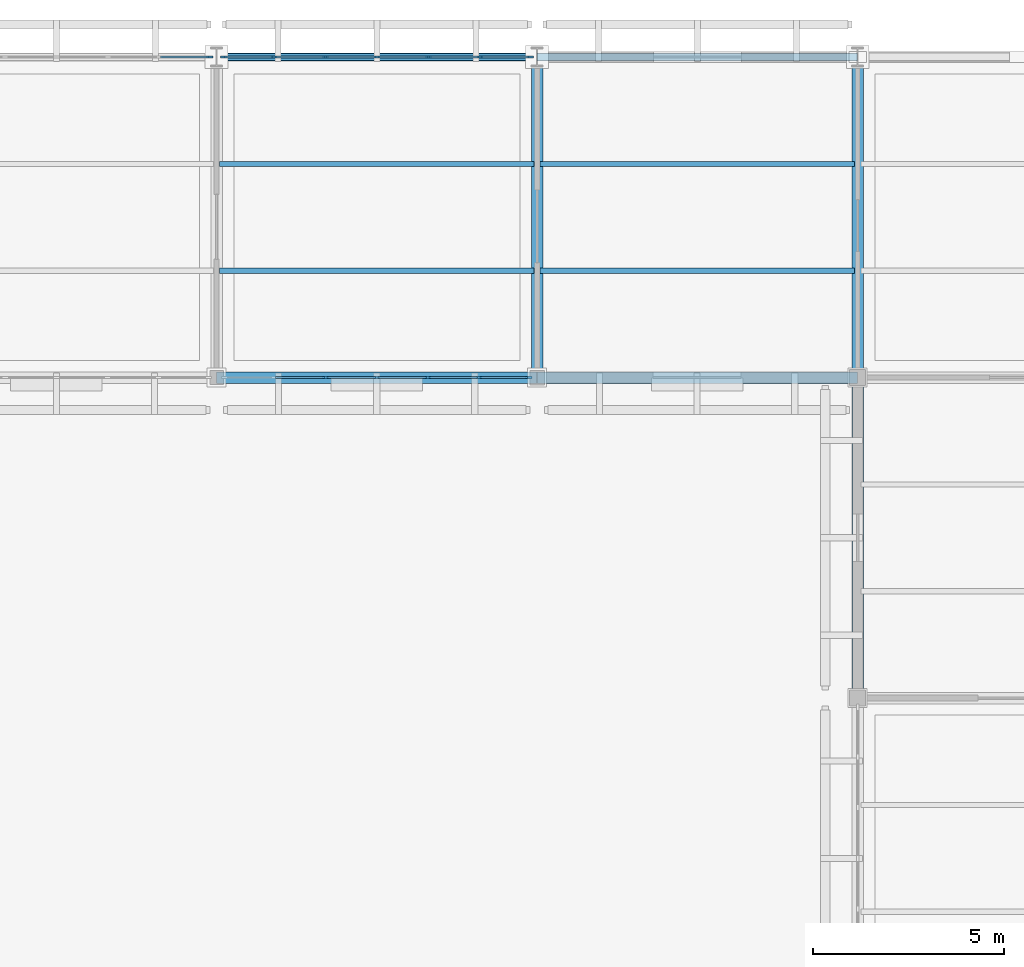
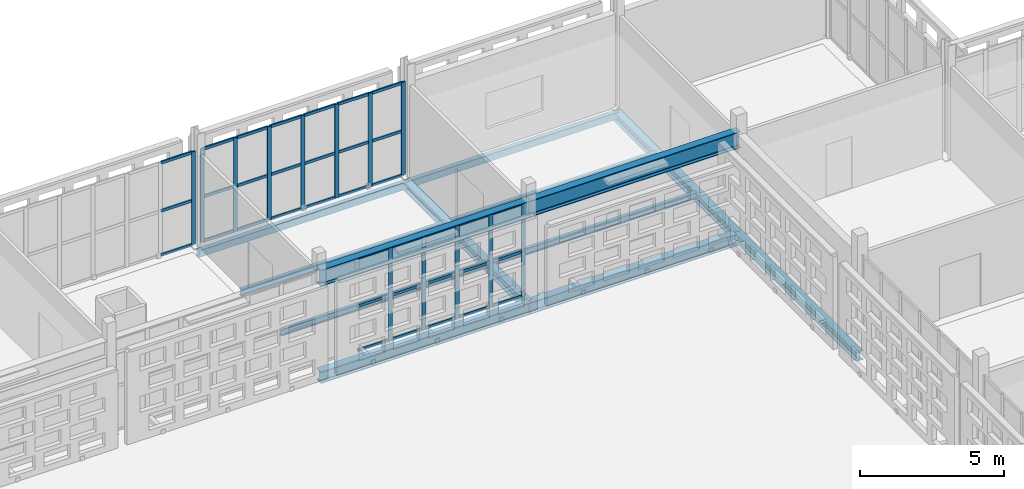
# One storey, part 64 of 203: 49 members, 13 beams, 3 elements without a shape of their own.
"""IFC4 building model written with IfcOpenShell, lengths in metres."""

from ifc_helpers import new_model, si_unit, direction, frame, origin, origin_2d, place, context, subcontext, project, spatial, rectangle, hollow_rectangle, i_section, extrude, material, layer, layer_set, material_profile, profile_set, type_object, element, aggregate, save


model = new_model("IFC4")

# Units and contexts
model_context = context("Model", 3, precision=1e-05, world=origin(), true_north=direction((0.0, 1.0)))
body_context = subcontext(model_context, "Body", "Model", "MODEL_VIEW")
ifc_project = project(units=[si_unit("LENGTHUNIT", "METRE"), si_unit("AREAUNIT", "SQUARE_METRE"), si_unit("VOLUMEUNIT", "CUBIC_METRE"), si_unit("PLANEANGLEUNIT", "RADIAN"), si_unit("MASSUNIT", "GRAM", prefix="KILO")], contexts=[model_context])

# Site, building, storey
site_placement = place(None, origin())
site = spatial("IfcSite", under=ifc_project, at=site_placement, CompositionType="ELEMENT")
building_placement = place(site_placement, origin())
building = spatial("IfcBuilding", under=site, at=building_placement, Name="Varnapada Polytechnic", CompositionType="ELEMENT")
storey_placement = place(building_placement, frame((0.0, 0.0, 4.800048828125)))
storey = spatial("IfcBuildingStorey", under=building, at=storey_placement, Name="L01", CompositionType="ELEMENT", Elevation=4.800048828125)

# Beams
ifc_material_1 = material(Name="Steel S355", Category="steel")
ifc_material_profile_1 = material_profile(ifc_material_1, i_section(OverallWidth=0.300048828125, OverallDepth=0.68994140625, WebThickness=0.014404296875, FlangeThickness=0.027099609375, FilletRadius=0.027099609375, at=origin_2d()), Name="HEA 700")
ifc_profile_set_1 = profile_set([ifc_material_profile_1], Name="Steel S355")
beam_type_1 = type_object("IfcBeamType", Name="Heavy fabrication crane girder CR-03 (HEA 700)", PredefinedType="BEAM", material=ifc_profile_set_1)
beam_1_placement = place(storey_placement, frame((109.199951171875, 117.60009765625, 3.695068359375), z_axis=(1.0, 0.0, 0.0), x_axis=(0.0, 1.0, 0.0)))
element("IfcBeam", 1, at=beam_1_placement, inside=storey, type_object=beam_type_1, Name="Workshop bridge crane runway girder 14-15 line 15", PredefinedType="BEAM", context=body_context, shape_type="SweptSolid", body=[
    extrude(i_section(OverallWidth=0.300048828125, OverallDepth=0.68994140625, WebThickness=0.014404296875, FlangeThickness=0.027099609375, FilletRadius=0.027099609375, at=origin_2d()), origin(), (0.0, 0.0, 1.0), 8.400146484375),
])
beam_2_placement = place(storey_placement, frame((117.60009765625, 117.60009765625, 3.695068359375), z_axis=(1.0, 0.0, 0.0), x_axis=(0.0, 1.0, 0.0)))
element("IfcBeam", 2, at=beam_2_placement, inside=storey, type_object=beam_type_1, Name="Workshop bridge crane runway girder 15-16 line 15", PredefinedType="BEAM", context=body_context, shape_type="SweptSolid", body=[
    extrude(i_section(OverallWidth=0.300048828125, OverallDepth=0.68994140625, WebThickness=0.014404296875, FlangeThickness=0.027099609375, FilletRadius=0.027099609375, at=origin_2d()), origin(), (0.0, 0.0, 1.0), 8.39990234375),
])
ifc_material_profile_2 = material_profile(ifc_material_1, i_section(OverallWidth=0.135009765625, OverallDepth=0.27001953125, WebThickness=0.006591796875, FlangeThickness=0.01025390625, FilletRadius=0.014892578125, at=origin_2d()), Name="IPE 270")
ifc_profile_set_2 = profile_set([ifc_material_profile_2], Name="Steel S355")
beam_type_2 = type_object("IfcBeamType", Name="Mezzanine heavy steel joist SJ-03 (IPE 270)", PredefinedType="JOIST", material=ifc_profile_set_2)
for number, where, z_axis, x_axis, name in (
    (3, (109.280029296875, 120.39990234375, -0.39501953125), (1.0, 0.0, 0.0), (0.0, 1.0, 0.0), "L01 floor joist 14/15.1"),
    (4, (109.280029296875, 123.199951171875, -0.39501953125), (1.0, 0.0, 0.0), (0.0, 1.0, 0.0), "L01 floor joist 14/15.2"),
    (5, (117.679931640625, 120.39990234375, -0.39501953125), (1.0, 0.0, 0.0), (0.0, 1.0, 0.0), "L01 floor joist 15/15.1"),
    (6, (117.679931640625, 123.199951171875, -0.39501953125), (1.0, 0.0, 0.0), (0.0, 1.0, 0.0), "L01 floor joist 15/15.2"),
):
    element("IfcBeam", number, at=place(storey_placement, frame(where, z_axis=z_axis, x_axis=x_axis)), inside=storey, type_object=beam_type_2, Name=name, PredefinedType="JOIST", context=body_context, shape_type="SweptSolid", body=[
        extrude(i_section(OverallWidth=0.135009765625, OverallDepth=0.27001953125, WebThickness=0.006591796875, FlangeThickness=0.01025390625, FilletRadius=0.014892578125, at=origin_2d()), origin(), (0.0, 0.0, 1.0), 8.239990234375),
    ])

# Curtain wall, member
ifc_material_2 = material(Name="Double low-E laminated glass", Category="glass")
ifc_layer = layer(ifc_material_2, 0.159912109375)
ifc_layer_set = layer_set([ifc_layer], Name="Double low-E laminated glass")
curtain_wall_type = type_object("IfcCurtainWallType", Name="Curtain Wall CW-02", PredefinedType="NOTDEFINED", material=ifc_layer_set)
curtain_wall_1_placement = place(storey_placement, origin())
curtain_wall_1 = element("IfcCurtainWall", 7, at=curtain_wall_1_placement, inside=storey, type_object=curtain_wall_type, Name="L01 unitised curtain wall CW-02 (82)", PredefinedType="NOTDEFINED")
ifc_material_3 = material(Name="Anodised aluminium", Category="aluminium")
ifc_material_profile_3 = material_profile(ifc_material_3, rectangle(XDim=0.06005859375, YDim=0.159912109375, at=origin_2d()), Name="ALU M60x160")
ifc_profile_set_3 = profile_set([ifc_material_profile_3], Name="Anodised aluminium")
member_type_1 = type_object("IfcMemberType", Name="Mullion M-01", PredefinedType="MULLION", material=ifc_profile_set_3)
member_1_placement = place(storey_placement, frame((109.02001953125, 126.0, 0.0), z_axis=(0.0, 0.0, 1.0), x_axis=(0.0, 1.0, 0.0)))
member_1 = element("IfcMember", 8, at=member_1_placement, type_object=member_type_1, Name="CW-02 mullion 7", PredefinedType="MULLION", context=body_context, shape_type="SweptSolid", body=[
    extrude(rectangle(XDim=0.06005859375, YDim=0.159912109375, at=origin_2d()), origin(), (0.0, 0.0, 1.0), 3.9599609375),
])

# Curtain wall, members
curtain_wall_2_placement = place(storey_placement, origin())
curtain_wall_2 = element("IfcCurtainWall", 9, at=curtain_wall_2_placement, inside=storey, type_object=curtain_wall_type, Name="L01 unitised curtain wall CW-02 (87)", PredefinedType="NOTDEFINED")
member_2_placement = place(storey_placement, frame((117.3798828125, 117.60009765625, 0.0), z_axis=(0.0, 0.0, 1.0), x_axis=(0.0, -1.0, 0.0)))
member_2 = element("IfcMember", 10, at=member_2_placement, type_object=member_type_1, Name="CW-02 mullion 1", PredefinedType="MULLION", context=body_context, shape_type="SweptSolid", body=[
    extrude(rectangle(XDim=0.06005859375, YDim=0.159912109375, at=origin_2d()), origin(), (0.0, 0.0, 1.0), 3.9599609375),
])
member_3_placement = place(storey_placement, frame((116.07177734375, 117.60009765625, 0.0), z_axis=(0.0, 0.0, 1.0), x_axis=(0.0, -1.0, 0.0)))
member_3 = element("IfcMember", 11, at=member_3_placement, type_object=member_type_1, Name="CW-02 mullion 2", PredefinedType="MULLION", context=body_context, shape_type="SweptSolid", body=[
    extrude(rectangle(XDim=0.06005859375, YDim=0.159912109375, at=origin_2d()), origin(), (0.0, 0.0, 1.0), 3.9599609375),
])
member_4_placement = place(storey_placement, frame((114.7333984375, 117.60009765625, 0.0), z_axis=(0.0, 0.0, 1.0), x_axis=(0.0, -1.0, 0.0)))
member_4 = element("IfcMember", 12, at=member_4_placement, type_object=member_type_1, Name="CW-02 mullion 3", PredefinedType="MULLION", context=body_context, shape_type="SweptSolid", body=[
    extrude(rectangle(XDim=0.06005859375, YDim=0.159912109375, at=origin_2d()), origin(), (0.0, 0.0, 1.0), 3.9599609375),
])
member_5_placement = place(storey_placement, frame((113.39501953125, 117.60009765625, 0.0), z_axis=(0.0, 0.0, 1.0), x_axis=(0.0, -1.0, 0.0)))
member_5 = element("IfcMember", 13, at=member_5_placement, type_object=member_type_1, Name="CW-02 mullion 4", PredefinedType="MULLION", context=body_context, shape_type="SweptSolid", body=[
    extrude(rectangle(XDim=0.06005859375, YDim=0.159912109375, at=origin_2d()), origin(), (0.0, 0.0, 1.0), 3.9599609375),
])
member_6_placement = place(storey_placement, frame((112.056640625, 117.60009765625, 0.0), z_axis=(0.0, 0.0, 1.0), x_axis=(0.0, -1.0, 0.0)))
member_6 = element("IfcMember", 14, at=member_6_placement, type_object=member_type_1, Name="CW-02 mullion 5", PredefinedType="MULLION", context=body_context, shape_type="SweptSolid", body=[
    extrude(rectangle(XDim=0.06005859375, YDim=0.159912109375, at=origin_2d()), origin(), (0.0, 0.0, 1.0), 3.9599609375),
])

curtain_wall_3_placement = place(storey_placement, origin())
curtain_wall_3 = element("IfcCurtainWall", 15, at=curtain_wall_3_placement, inside=storey, type_object=curtain_wall_type, Name="L01 unitised curtain wall CW-02 (88)", PredefinedType="NOTDEFINED")
member_7_placement = place(storey_placement, frame((109.3798828125, 126.0, 0.0), z_axis=(0.0, 0.0, 1.0), x_axis=(0.0, 1.0, 0.0)))
member_7 = element("IfcMember", 16, at=member_7_placement, type_object=member_type_1, Name="CW-02 mullion 1", PredefinedType="MULLION", context=body_context, shape_type="SweptSolid", body=[
    extrude(rectangle(XDim=0.06005859375, YDim=0.159912109375, at=origin_2d()), origin(), (0.0, 0.0, 1.0), 3.9599609375),
])
member_8_placement = place(storey_placement, frame((110.699951171875, 126.0, 0.0), z_axis=(0.0, 0.0, 1.0), x_axis=(0.0, 1.0, 0.0)))
member_8 = element("IfcMember", 17, at=member_8_placement, type_object=member_type_1, Name="CW-02 mullion 2", PredefinedType="MULLION", context=body_context, shape_type="SweptSolid", body=[
    extrude(rectangle(XDim=0.06005859375, YDim=0.159912109375, at=origin_2d()), origin(), (0.0, 0.0, 1.0), 3.9599609375),
])
member_9_placement = place(storey_placement, frame((112.050048828125, 126.0, 0.0), z_axis=(0.0, 0.0, 1.0), x_axis=(0.0, 1.0, 0.0)))
member_9 = element("IfcMember", 18, at=member_9_placement, type_object=member_type_1, Name="CW-02 mullion 3", PredefinedType="MULLION", context=body_context, shape_type="SweptSolid", body=[
    extrude(rectangle(XDim=0.06005859375, YDim=0.159912109375, at=origin_2d()), origin(), (0.0, 0.0, 1.0), 3.9599609375),
])
member_10_placement = place(storey_placement, frame((113.39990234375, 126.0, 0.0), z_axis=(0.0, 0.0, 1.0), x_axis=(0.0, 1.0, 0.0)))
member_10 = element("IfcMember", 19, at=member_10_placement, type_object=member_type_1, Name="CW-02 mullion 4", PredefinedType="MULLION", context=body_context, shape_type="SweptSolid", body=[
    extrude(rectangle(XDim=0.06005859375, YDim=0.159912109375, at=origin_2d()), origin(), (0.0, 0.0, 1.0), 3.9599609375),
])
member_11_placement = place(storey_placement, frame((114.75, 126.0, 0.0), z_axis=(0.0, 0.0, 1.0), x_axis=(0.0, 1.0, 0.0)))
member_11 = element("IfcMember", 20, at=member_11_placement, type_object=member_type_1, Name="CW-02 mullion 5", PredefinedType="MULLION", context=body_context, shape_type="SweptSolid", body=[
    extrude(rectangle(XDim=0.06005859375, YDim=0.159912109375, at=origin_2d()), origin(), (0.0, 0.0, 1.0), 3.9599609375),
])
member_12_placement = place(storey_placement, frame((116.10009765625, 126.0, 0.0), z_axis=(0.0, 0.0, 1.0), x_axis=(0.0, 1.0, 0.0)))
member_12 = element("IfcMember", 21, at=member_12_placement, type_object=member_type_1, Name="CW-02 mullion 6", PredefinedType="MULLION", context=body_context, shape_type="SweptSolid", body=[
    extrude(rectangle(XDim=0.06005859375, YDim=0.159912109375, at=origin_2d()), origin(), (0.0, 0.0, 1.0), 3.9599609375),
])
member_13_placement = place(storey_placement, frame((117.419921875, 126.0, 0.0), z_axis=(0.0, 0.0, 1.0), x_axis=(0.0, 1.0, 0.0)))
member_13 = element("IfcMember", 22, at=member_13_placement, type_object=member_type_1, Name="CW-02 mullion 7", PredefinedType="MULLION", context=body_context, shape_type="SweptSolid", body=[
    extrude(rectangle(XDim=0.06005859375, YDim=0.159912109375, at=origin_2d()), origin(), (0.0, 0.0, 1.0), 3.9599609375),
])

# Beams
ifc_material_profile_4 = material_profile(ifc_material_1, i_section(OverallWidth=0.300048828125, OverallDepth=0.389892578125, WebThickness=0.010986328125, FlangeThickness=0.01904296875, FilletRadius=0.027099609375, at=origin_2d()), Name="HEA 400")
ifc_profile_set_4 = profile_set([ifc_material_profile_4], Name="Steel S355")
beam_type_3 = type_object("IfcBeamType", Name="Steel roof primary girder SG-01 (HEA 400)", PredefinedType="BEAM", material=ifc_profile_set_4)
beam_3_placement = place(storey_placement, frame((117.60009765625, 117.60009765625, -0.465087890625), z_axis=(0.0, 1.0, 0.0), x_axis=(-1.0, 0.0, 0.0)))
element("IfcBeam", 23, at=beam_3_placement, inside=storey, type_object=beam_type_3, Name="L01 beam Y 15-16 at X15", PredefinedType="BEAM", context=body_context, shape_type="SweptSolid", body=[
    extrude(i_section(OverallWidth=0.300048828125, OverallDepth=0.389892578125, WebThickness=0.010986328125, FlangeThickness=0.01904296875, FilletRadius=0.027099609375, at=origin_2d()), origin(), (0.0, 0.0, 1.0), 8.39990234375),
])
beam_4_placement = place(storey_placement, frame((126.0, 109.199951171875, -0.465087890625), z_axis=(0.0, 1.0, 0.0), x_axis=(-1.0, 0.0, 0.0)))
element("IfcBeam", 24, at=beam_4_placement, inside=storey, type_object=beam_type_3, Name="L01 beam Y 14-15 at X16", PredefinedType="BEAM", context=body_context, shape_type="SweptSolid", body=[
    extrude(i_section(OverallWidth=0.300048828125, OverallDepth=0.389892578125, WebThickness=0.010986328125, FlangeThickness=0.01904296875, FilletRadius=0.027099609375, at=origin_2d()), origin(), (0.0, 0.0, 1.0), 8.400146484375),
])
beam_5_placement = place(storey_placement, frame((126.0, 117.60009765625, -0.465087890625), z_axis=(0.0, 1.0, 0.0), x_axis=(-1.0, 0.0, 0.0)))
element("IfcBeam", 25, at=beam_5_placement, inside=storey, type_object=beam_type_3, Name="L01 beam Y 15-16 at X16", PredefinedType="BEAM", context=body_context, shape_type="SweptSolid", body=[
    extrude(i_section(OverallWidth=0.300048828125, OverallDepth=0.389892578125, WebThickness=0.010986328125, FlangeThickness=0.01904296875, FilletRadius=0.027099609375, at=origin_2d()), origin(), (0.0, 0.0, 1.0), 8.39990234375),
])

# Member
ifc_material_profile_5 = material_profile(ifc_material_3, rectangle(XDim=0.06005859375, YDim=0.1201171875, at=origin_2d()), Name="ALU T60x120")
ifc_profile_set_5 = profile_set([ifc_material_profile_5], Name="Anodised aluminium")
member_type_2 = type_object("IfcMemberType", Name="Transom T-01", PredefinedType="USERDEFINED", material=ifc_profile_set_5)
member_14_placement = place(storey_placement, frame((107.72998046875, 126.0, 0.030029296875), z_axis=(1.0, 0.0, 0.0), x_axis=(0.0, 1.0, 0.0)))
member_14 = element("IfcMember", 26, at=member_14_placement, type_object=member_type_2, Name="CW-02 transom 6.1", ObjectType="TRANSOM", PredefinedType="USERDEFINED", context=body_context, shape_type="SweptSolid", body=[
    extrude(rectangle(XDim=0.06005859375, YDim=0.1201171875, at=origin_2d()), origin(), (0.0, 0.0, 1.0), 1.260009765625),
])

member_15_placement = place(storey_placement, frame((107.72998046875, 126.0, 1.900634765625), z_axis=(1.0, 0.0, 0.0), x_axis=(0.0, 1.0, 0.0)))
member_15 = element("IfcMember", 27, at=member_15_placement, type_object=member_type_2, Name="CW-02 transom 6.2", ObjectType="TRANSOM", PredefinedType="USERDEFINED", context=body_context, shape_type="SweptSolid", body=[
    extrude(rectangle(XDim=0.06005859375, YDim=0.1201171875, at=origin_2d()), origin(), (0.0, 0.0, 1.0), 1.260009765625),
])

member_16_placement = place(storey_placement, frame((107.72998046875, 126.0, 3.929931640625), z_axis=(1.0, 0.0, 0.0), x_axis=(0.0, 1.0, 0.0)))
member_16 = element("IfcMember", 28, at=member_16_placement, type_object=member_type_2, Name="CW-02 transom 6.3", ObjectType="TRANSOM", PredefinedType="USERDEFINED", context=body_context, shape_type="SweptSolid", body=[
    extrude(rectangle(XDim=0.06005859375, YDim=0.1201171875, at=origin_2d()), origin(), (0.0, 0.0, 1.0), 1.260009765625),
])

aggregate(curtain_wall_1, [member_1, member_14, member_15, member_16])

member_17_placement = place(storey_placement, frame((117.35009765625, 117.60009765625, 0.030029296875), z_axis=(-1.0, 0.0, 0.0), x_axis=(0.0, -1.0, 0.0)))
member_17 = element("IfcMember", 29, at=member_17_placement, type_object=member_type_2, Name="CW-02 transom 1.1", ObjectType="TRANSOM", PredefinedType="USERDEFINED", context=body_context, shape_type="SweptSolid", body=[
    extrude(rectangle(XDim=0.06005859375, YDim=0.1201171875, at=origin_2d()), origin(), (0.0, 0.0, 1.0), 1.24853515625),
])

member_18_placement = place(storey_placement, frame((117.35009765625, 117.60009765625, 1.900634765625), z_axis=(-1.0, 0.0, 0.0), x_axis=(0.0, -1.0, 0.0)))
member_18 = element("IfcMember", 30, at=member_18_placement, type_object=member_type_2, Name="CW-02 transom 1.2", ObjectType="TRANSOM", PredefinedType="USERDEFINED", context=body_context, shape_type="SweptSolid", body=[
    extrude(rectangle(XDim=0.06005859375, YDim=0.1201171875, at=origin_2d()), origin(), (0.0, 0.0, 1.0), 1.24853515625),
])

member_19_placement = place(storey_placement, frame((117.35009765625, 117.60009765625, 3.929931640625), z_axis=(-1.0, 0.0, 0.0), x_axis=(0.0, -1.0, 0.0)))
member_19 = element("IfcMember", 31, at=member_19_placement, type_object=member_type_2, Name="CW-02 transom 1.3", ObjectType="TRANSOM", PredefinedType="USERDEFINED", context=body_context, shape_type="SweptSolid", body=[
    extrude(rectangle(XDim=0.06005859375, YDim=0.1201171875, at=origin_2d()), origin(), (0.0, 0.0, 1.0), 1.24853515625),
])

member_20_placement = place(storey_placement, frame((116.041748046875, 117.60009765625, 0.030029296875), z_axis=(-1.0, 0.0, 0.0), x_axis=(0.0, -1.0, 0.0)))
member_20 = element("IfcMember", 32, at=member_20_placement, type_object=member_type_2, Name="CW-02 transom 2.1", ObjectType="TRANSOM", PredefinedType="USERDEFINED", context=body_context, shape_type="SweptSolid", body=[
    extrude(rectangle(XDim=0.06005859375, YDim=0.1201171875, at=origin_2d()), origin(), (0.0, 0.0, 1.0), 1.2783203125),
])

member_21_placement = place(storey_placement, frame((116.041748046875, 117.60009765625, 1.900634765625), z_axis=(-1.0, 0.0, 0.0), x_axis=(0.0, -1.0, 0.0)))
member_21 = element("IfcMember", 33, at=member_21_placement, type_object=member_type_2, Name="CW-02 transom 2.2", ObjectType="TRANSOM", PredefinedType="USERDEFINED", context=body_context, shape_type="SweptSolid", body=[
    extrude(rectangle(XDim=0.06005859375, YDim=0.1201171875, at=origin_2d()), origin(), (0.0, 0.0, 1.0), 1.2783203125),
])

member_22_placement = place(storey_placement, frame((116.041748046875, 117.60009765625, 3.929931640625), z_axis=(-1.0, 0.0, 0.0), x_axis=(0.0, -1.0, 0.0)))
member_22 = element("IfcMember", 34, at=member_22_placement, type_object=member_type_2, Name="CW-02 transom 2.3", ObjectType="TRANSOM", PredefinedType="USERDEFINED", context=body_context, shape_type="SweptSolid", body=[
    extrude(rectangle(XDim=0.06005859375, YDim=0.1201171875, at=origin_2d()), origin(), (0.0, 0.0, 1.0), 1.2783203125),
])

member_23_placement = place(storey_placement, frame((114.703369140625, 117.60009765625, 0.030029296875), z_axis=(-1.0, 0.0, 0.0), x_axis=(0.0, -1.0, 0.0)))
member_23 = element("IfcMember", 35, at=member_23_placement, type_object=member_type_2, Name="CW-02 transom 3.1", ObjectType="TRANSOM", PredefinedType="USERDEFINED", context=body_context, shape_type="SweptSolid", body=[
    extrude(rectangle(XDim=0.06005859375, YDim=0.1201171875, at=origin_2d()), origin(), (0.0, 0.0, 1.0), 1.2783203125),
])

member_24_placement = place(storey_placement, frame((114.703369140625, 117.60009765625, 1.900634765625), z_axis=(-1.0, 0.0, 0.0), x_axis=(0.0, -1.0, 0.0)))
member_24 = element("IfcMember", 36, at=member_24_placement, type_object=member_type_2, Name="CW-02 transom 3.2", ObjectType="TRANSOM", PredefinedType="USERDEFINED", context=body_context, shape_type="SweptSolid", body=[
    extrude(rectangle(XDim=0.06005859375, YDim=0.1201171875, at=origin_2d()), origin(), (0.0, 0.0, 1.0), 1.2783203125),
])

member_25_placement = place(storey_placement, frame((114.703369140625, 117.60009765625, 3.929931640625), z_axis=(-1.0, 0.0, 0.0), x_axis=(0.0, -1.0, 0.0)))
member_25 = element("IfcMember", 37, at=member_25_placement, type_object=member_type_2, Name="CW-02 transom 3.3", ObjectType="TRANSOM", PredefinedType="USERDEFINED", context=body_context, shape_type="SweptSolid", body=[
    extrude(rectangle(XDim=0.06005859375, YDim=0.1201171875, at=origin_2d()), origin(), (0.0, 0.0, 1.0), 1.2783203125),
])

member_26_placement = place(storey_placement, frame((113.364990234375, 117.60009765625, 0.030029296875), z_axis=(-1.0, 0.0, 0.0), x_axis=(0.0, -1.0, 0.0)))
member_26 = element("IfcMember", 38, at=member_26_placement, type_object=member_type_2, Name="CW-02 transom 4.1", ObjectType="TRANSOM", PredefinedType="USERDEFINED", context=body_context, shape_type="SweptSolid", body=[
    extrude(rectangle(XDim=0.06005859375, YDim=0.1201171875, at=origin_2d()), origin(), (0.0, 0.0, 1.0), 1.2783203125),
])

member_27_placement = place(storey_placement, frame((113.364990234375, 117.60009765625, 1.900634765625), z_axis=(-1.0, 0.0, 0.0), x_axis=(0.0, -1.0, 0.0)))
member_27 = element("IfcMember", 39, at=member_27_placement, type_object=member_type_2, Name="CW-02 transom 4.2", ObjectType="TRANSOM", PredefinedType="USERDEFINED", context=body_context, shape_type="SweptSolid", body=[
    extrude(rectangle(XDim=0.06005859375, YDim=0.1201171875, at=origin_2d()), origin(), (0.0, 0.0, 1.0), 1.2783203125),
])

member_28_placement = place(storey_placement, frame((113.364990234375, 117.60009765625, 3.929931640625), z_axis=(-1.0, 0.0, 0.0), x_axis=(0.0, -1.0, 0.0)))
member_28 = element("IfcMember", 40, at=member_28_placement, type_object=member_type_2, Name="CW-02 transom 4.3", ObjectType="TRANSOM", PredefinedType="USERDEFINED", context=body_context, shape_type="SweptSolid", body=[
    extrude(rectangle(XDim=0.06005859375, YDim=0.1201171875, at=origin_2d()), origin(), (0.0, 0.0, 1.0), 1.2783203125),
])

member_29_placement = place(storey_placement, frame((112.026611328125, 117.60009765625, 0.030029296875), z_axis=(-1.0, 0.0, 0.0), x_axis=(0.0, -1.0, 0.0)))
member_29 = element("IfcMember", 41, at=member_29_placement, type_object=member_type_2, Name="CW-02 transom 5.1", ObjectType="TRANSOM", PredefinedType="USERDEFINED", context=body_context, shape_type="SweptSolid", body=[
    extrude(rectangle(XDim=0.06005859375, YDim=0.1201171875, at=origin_2d()), origin(), (0.0, 0.0, 1.0), 1.2783203125),
])

member_30_placement = place(storey_placement, frame((112.026611328125, 117.60009765625, 1.900634765625), z_axis=(-1.0, 0.0, 0.0), x_axis=(0.0, -1.0, 0.0)))
member_30 = element("IfcMember", 42, at=member_30_placement, type_object=member_type_2, Name="CW-02 transom 5.2", ObjectType="TRANSOM", PredefinedType="USERDEFINED", context=body_context, shape_type="SweptSolid", body=[
    extrude(rectangle(XDim=0.06005859375, YDim=0.1201171875, at=origin_2d()), origin(), (0.0, 0.0, 1.0), 1.2783203125),
])

member_31_placement = place(storey_placement, frame((112.026611328125, 117.60009765625, 3.929931640625), z_axis=(-1.0, 0.0, 0.0), x_axis=(0.0, -1.0, 0.0)))
member_31 = element("IfcMember", 43, at=member_31_placement, type_object=member_type_2, Name="CW-02 transom 5.3", ObjectType="TRANSOM", PredefinedType="USERDEFINED", context=body_context, shape_type="SweptSolid", body=[
    extrude(rectangle(XDim=0.06005859375, YDim=0.1201171875, at=origin_2d()), origin(), (0.0, 0.0, 1.0), 1.2783203125),
])

aggregate(curtain_wall_2, [member_2, member_3, member_4, member_5, member_6, member_17, member_18, member_19, member_20, member_21, member_22, member_23, member_24, member_25, member_26, member_27, member_28, member_29, member_30, member_31])

member_32_placement = place(storey_placement, frame((109.409912109375, 126.0, 0.030029296875), z_axis=(1.0, 0.0, 0.0), x_axis=(0.0, 1.0, 0.0)))
member_32 = element("IfcMember", 44, at=member_32_placement, type_object=member_type_2, Name="CW-02 transom 1.1", ObjectType="TRANSOM", PredefinedType="USERDEFINED", context=body_context, shape_type="SweptSolid", body=[
    extrude(rectangle(XDim=0.06005859375, YDim=0.1201171875, at=origin_2d()), origin(), (0.0, 0.0, 1.0), 1.260009765625),
])

member_33_placement = place(storey_placement, frame((109.409912109375, 126.0, 1.900634765625), z_axis=(1.0, 0.0, 0.0), x_axis=(0.0, 1.0, 0.0)))
member_33 = element("IfcMember", 45, at=member_33_placement, type_object=member_type_2, Name="CW-02 transom 1.2", ObjectType="TRANSOM", PredefinedType="USERDEFINED", context=body_context, shape_type="SweptSolid", body=[
    extrude(rectangle(XDim=0.06005859375, YDim=0.1201171875, at=origin_2d()), origin(), (0.0, 0.0, 1.0), 1.260009765625),
])

member_34_placement = place(storey_placement, frame((109.409912109375, 126.0, 3.929931640625), z_axis=(1.0, 0.0, 0.0), x_axis=(0.0, 1.0, 0.0)))
member_34 = element("IfcMember", 46, at=member_34_placement, type_object=member_type_2, Name="CW-02 transom 1.3", ObjectType="TRANSOM", PredefinedType="USERDEFINED", context=body_context, shape_type="SweptSolid", body=[
    extrude(rectangle(XDim=0.06005859375, YDim=0.1201171875, at=origin_2d()), origin(), (0.0, 0.0, 1.0), 1.260009765625),
])

member_35_placement = place(storey_placement, frame((110.72998046875, 126.0, 0.030029296875), z_axis=(1.0, 0.0, 0.0), x_axis=(0.0, 1.0, 0.0)))
member_35 = element("IfcMember", 47, at=member_35_placement, type_object=member_type_2, Name="CW-02 transom 2.1", ObjectType="TRANSOM", PredefinedType="USERDEFINED", context=body_context, shape_type="SweptSolid", body=[
    extrude(rectangle(XDim=0.06005859375, YDim=0.1201171875, at=origin_2d()), origin(), (0.0, 0.0, 1.0), 1.2900390625),
])

member_36_placement = place(storey_placement, frame((110.72998046875, 126.0, 1.900634765625), z_axis=(1.0, 0.0, 0.0), x_axis=(0.0, 1.0, 0.0)))
member_36 = element("IfcMember", 48, at=member_36_placement, type_object=member_type_2, Name="CW-02 transom 2.2", ObjectType="TRANSOM", PredefinedType="USERDEFINED", context=body_context, shape_type="SweptSolid", body=[
    extrude(rectangle(XDim=0.06005859375, YDim=0.1201171875, at=origin_2d()), origin(), (0.0, 0.0, 1.0), 1.2900390625),
])

member_37_placement = place(storey_placement, frame((110.72998046875, 126.0, 3.929931640625), z_axis=(1.0, 0.0, 0.0), x_axis=(0.0, 1.0, 0.0)))
member_37 = element("IfcMember", 49, at=member_37_placement, type_object=member_type_2, Name="CW-02 transom 2.3", ObjectType="TRANSOM", PredefinedType="USERDEFINED", context=body_context, shape_type="SweptSolid", body=[
    extrude(rectangle(XDim=0.06005859375, YDim=0.1201171875, at=origin_2d()), origin(), (0.0, 0.0, 1.0), 1.2900390625),
])

member_38_placement = place(storey_placement, frame((112.080078125, 126.0, 0.030029296875), z_axis=(1.0, 0.0, 0.0), x_axis=(0.0, 1.0, 0.0)))
member_38 = element("IfcMember", 50, at=member_38_placement, type_object=member_type_2, Name="CW-02 transom 3.1", ObjectType="TRANSOM", PredefinedType="USERDEFINED", context=body_context, shape_type="SweptSolid", body=[
    extrude(rectangle(XDim=0.06005859375, YDim=0.1201171875, at=origin_2d()), origin(), (0.0, 0.0, 1.0), 1.2900390625),
])

member_39_placement = place(storey_placement, frame((112.080078125, 126.0, 1.900634765625), z_axis=(1.0, 0.0, 0.0), x_axis=(0.0, 1.0, 0.0)))
member_39 = element("IfcMember", 51, at=member_39_placement, type_object=member_type_2, Name="CW-02 transom 3.2", ObjectType="TRANSOM", PredefinedType="USERDEFINED", context=body_context, shape_type="SweptSolid", body=[
    extrude(rectangle(XDim=0.06005859375, YDim=0.1201171875, at=origin_2d()), origin(), (0.0, 0.0, 1.0), 1.2900390625),
])

member_40_placement = place(storey_placement, frame((112.080078125, 126.0, 3.929931640625), z_axis=(1.0, 0.0, 0.0), x_axis=(0.0, 1.0, 0.0)))
member_40 = element("IfcMember", 52, at=member_40_placement, type_object=member_type_2, Name="CW-02 transom 3.3", ObjectType="TRANSOM", PredefinedType="USERDEFINED", context=body_context, shape_type="SweptSolid", body=[
    extrude(rectangle(XDim=0.06005859375, YDim=0.1201171875, at=origin_2d()), origin(), (0.0, 0.0, 1.0), 1.2900390625),
])

member_41_placement = place(storey_placement, frame((113.429931640625, 126.0, 0.030029296875), z_axis=(1.0, 0.0, 0.0), x_axis=(0.0, 1.0, 0.0)))
member_41 = element("IfcMember", 53, at=member_41_placement, type_object=member_type_2, Name="CW-02 transom 4.1", ObjectType="TRANSOM", PredefinedType="USERDEFINED", context=body_context, shape_type="SweptSolid", body=[
    extrude(rectangle(XDim=0.06005859375, YDim=0.1201171875, at=origin_2d()), origin(), (0.0, 0.0, 1.0), 1.2900390625),
])

member_42_placement = place(storey_placement, frame((113.429931640625, 126.0, 1.900634765625), z_axis=(1.0, 0.0, 0.0), x_axis=(0.0, 1.0, 0.0)))
member_42 = element("IfcMember", 54, at=member_42_placement, type_object=member_type_2, Name="CW-02 transom 4.2", ObjectType="TRANSOM", PredefinedType="USERDEFINED", context=body_context, shape_type="SweptSolid", body=[
    extrude(rectangle(XDim=0.06005859375, YDim=0.1201171875, at=origin_2d()), origin(), (0.0, 0.0, 1.0), 1.2900390625),
])

member_43_placement = place(storey_placement, frame((113.429931640625, 126.0, 3.929931640625), z_axis=(1.0, 0.0, 0.0), x_axis=(0.0, 1.0, 0.0)))
member_43 = element("IfcMember", 55, at=member_43_placement, type_object=member_type_2, Name="CW-02 transom 4.3", ObjectType="TRANSOM", PredefinedType="USERDEFINED", context=body_context, shape_type="SweptSolid", body=[
    extrude(rectangle(XDim=0.06005859375, YDim=0.1201171875, at=origin_2d()), origin(), (0.0, 0.0, 1.0), 1.2900390625),
])

member_44_placement = place(storey_placement, frame((114.780029296875, 126.0, 0.030029296875), z_axis=(1.0, 0.0, 0.0), x_axis=(0.0, 1.0, 0.0)))
member_44 = element("IfcMember", 56, at=member_44_placement, type_object=member_type_2, Name="CW-02 transom 5.1", ObjectType="TRANSOM", PredefinedType="USERDEFINED", context=body_context, shape_type="SweptSolid", body=[
    extrude(rectangle(XDim=0.06005859375, YDim=0.1201171875, at=origin_2d()), origin(), (0.0, 0.0, 1.0), 1.2900390625),
])

member_45_placement = place(storey_placement, frame((114.780029296875, 126.0, 1.900634765625), z_axis=(1.0, 0.0, 0.0), x_axis=(0.0, 1.0, 0.0)))
member_45 = element("IfcMember", 57, at=member_45_placement, type_object=member_type_2, Name="CW-02 transom 5.2", ObjectType="TRANSOM", PredefinedType="USERDEFINED", context=body_context, shape_type="SweptSolid", body=[
    extrude(rectangle(XDim=0.06005859375, YDim=0.1201171875, at=origin_2d()), origin(), (0.0, 0.0, 1.0), 1.2900390625),
])

member_46_placement = place(storey_placement, frame((114.780029296875, 126.0, 3.929931640625), z_axis=(1.0, 0.0, 0.0), x_axis=(0.0, 1.0, 0.0)))
member_46 = element("IfcMember", 58, at=member_46_placement, type_object=member_type_2, Name="CW-02 transom 5.3", ObjectType="TRANSOM", PredefinedType="USERDEFINED", context=body_context, shape_type="SweptSolid", body=[
    extrude(rectangle(XDim=0.06005859375, YDim=0.1201171875, at=origin_2d()), origin(), (0.0, 0.0, 1.0), 1.2900390625),
])

member_47_placement = place(storey_placement, frame((116.1298828125, 126.0, 0.030029296875), z_axis=(1.0, 0.0, 0.0), x_axis=(0.0, 1.0, 0.0)))
member_47 = element("IfcMember", 59, at=member_47_placement, type_object=member_type_2, Name="CW-02 transom 6.1", ObjectType="TRANSOM", PredefinedType="USERDEFINED", context=body_context, shape_type="SweptSolid", body=[
    extrude(rectangle(XDim=0.06005859375, YDim=0.1201171875, at=origin_2d()), origin(), (0.0, 0.0, 1.0), 1.260009765625),
])

member_48_placement = place(storey_placement, frame((116.1298828125, 126.0, 1.900634765625), z_axis=(1.0, 0.0, 0.0), x_axis=(0.0, 1.0, 0.0)))
member_48 = element("IfcMember", 60, at=member_48_placement, type_object=member_type_2, Name="CW-02 transom 6.2", ObjectType="TRANSOM", PredefinedType="USERDEFINED", context=body_context, shape_type="SweptSolid", body=[
    extrude(rectangle(XDim=0.06005859375, YDim=0.1201171875, at=origin_2d()), origin(), (0.0, 0.0, 1.0), 1.260009765625),
])

member_49_placement = place(storey_placement, frame((116.1298828125, 126.0, 3.929931640625), z_axis=(1.0, 0.0, 0.0), x_axis=(0.0, 1.0, 0.0)))
member_49 = element("IfcMember", 61, at=member_49_placement, type_object=member_type_2, Name="CW-02 transom 6.3", ObjectType="TRANSOM", PredefinedType="USERDEFINED", context=body_context, shape_type="SweptSolid", body=[
    extrude(rectangle(XDim=0.06005859375, YDim=0.1201171875, at=origin_2d()), origin(), (0.0, 0.0, 1.0), 1.260009765625),
])

aggregate(curtain_wall_3, [member_7, member_8, member_9, member_10, member_11, member_12, member_13, member_32, member_33, member_34, member_35, member_36, member_37, member_38, member_39, member_40, member_41, member_42, member_43, member_44, member_45, member_46, member_47, member_48, member_49])

# Beams
ifc_material_profile_6 = material_profile(ifc_material_1, i_section(OverallWidth=0.300048828125, OverallDepth=0.489990234375, WebThickness=0.011962890625, FlangeThickness=0.02294921875, FilletRadius=0.027099609375, at=origin_2d()), Name="HEA 500")
ifc_profile_set_6 = profile_set([ifc_material_profile_6], Name="Steel S355")
beam_type_4 = type_object("IfcBeamType", Name="Workshop gallery edge girder CR-02 (HEA 500)", PredefinedType="BEAM", material=ifc_profile_set_6)
beam_6_placement = place(storey_placement, frame((109.199951171875, 117.60009765625, -0.51513671875), z_axis=(1.0, 0.0, 0.0), x_axis=(0.0, 1.0, 0.0)))
element("IfcBeam", 62, at=beam_6_placement, inside=storey, type_object=beam_type_4, Name="L01 beam X 14-15 at Y15", PredefinedType="BEAM", context=body_context, shape_type="SweptSolid", body=[
    extrude(i_section(OverallWidth=0.300048828125, OverallDepth=0.489990234375, WebThickness=0.011962890625, FlangeThickness=0.02294921875, FilletRadius=0.027099609375, at=origin_2d()), origin(), (0.0, 0.0, 1.0), 8.400146484375),
])
beam_7_placement = place(storey_placement, frame((117.60009765625, 117.60009765625, -0.51513671875), z_axis=(1.0, 0.0, 0.0), x_axis=(0.0, 1.0, 0.0)))
element("IfcBeam", 63, at=beam_7_placement, inside=storey, type_object=beam_type_4, Name="L01 beam X 15-16 at Y15", PredefinedType="BEAM", context=body_context, shape_type="SweptSolid", body=[
    extrude(i_section(OverallWidth=0.300048828125, OverallDepth=0.489990234375, WebThickness=0.011962890625, FlangeThickness=0.02294921875, FilletRadius=0.027099609375, at=origin_2d()), origin(), (0.0, 0.0, 1.0), 8.39990234375),
])
ifc_material_profile_7 = material_profile(ifc_material_1, hollow_rectangle(XDim=0.199951171875, YDim=0.300048828125, WallThickness=0.010009765625, InnerFilletRadius=0.010009765625, OuterFilletRadius=0.02001953125, at=origin_2d()), Name="RHS 300x200x10")
ifc_profile_set_7 = profile_set([ifc_material_profile_7], Name="Steel S355")
beam_type_5 = type_object("IfcBeamType", Name="Workshop steel spandrel tie SP-03 (RHS 300x200x10)", PredefinedType="SPANDREL", material=ifc_profile_set_7)
beam_8_placement = place(storey_placement, frame((109.199951171875, 126.0, -0.41015625), z_axis=(1.0, 0.0, 0.0), x_axis=(0.0, 1.0, 0.0)))
element("IfcBeam", 64, at=beam_8_placement, inside=storey, type_object=beam_type_5, Name="L01 beam X 14-15 at Y16", PredefinedType="SPANDREL", context=body_context, shape_type="SweptSolid", body=[
    extrude(hollow_rectangle(XDim=0.199951171875, YDim=0.300048828125, WallThickness=0.010009765625, InnerFilletRadius=0.010009765625, OuterFilletRadius=0.02001953125, at=origin_2d()), origin(), (0.0, 0.0, 1.0), 8.400146484375),
])
beam_9_placement = place(storey_placement, frame((117.60009765625, 126.0, -0.41015625), z_axis=(1.0, 0.0, 0.0), x_axis=(0.0, 1.0, 0.0)))
element("IfcBeam", 65, at=beam_9_placement, inside=storey, type_object=beam_type_5, Name="L01 beam X 15-16 at Y16", PredefinedType="SPANDREL", context=body_context, shape_type="SweptSolid", body=[
    extrude(hollow_rectangle(XDim=0.199951171875, YDim=0.300048828125, WallThickness=0.010009765625, InnerFilletRadius=0.010009765625, OuterFilletRadius=0.02001953125, at=origin_2d()), origin(), (0.0, 0.0, 1.0), 8.39990234375),
])

save(model, "model.ifc")
